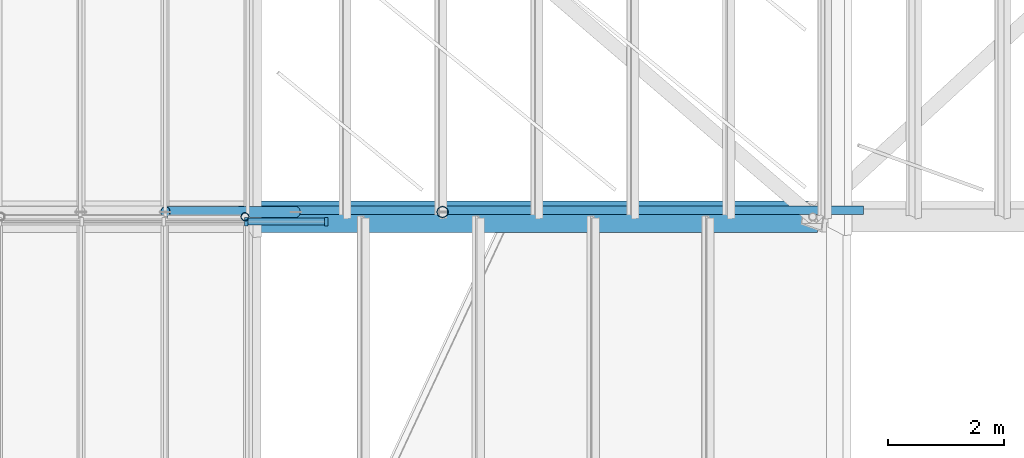
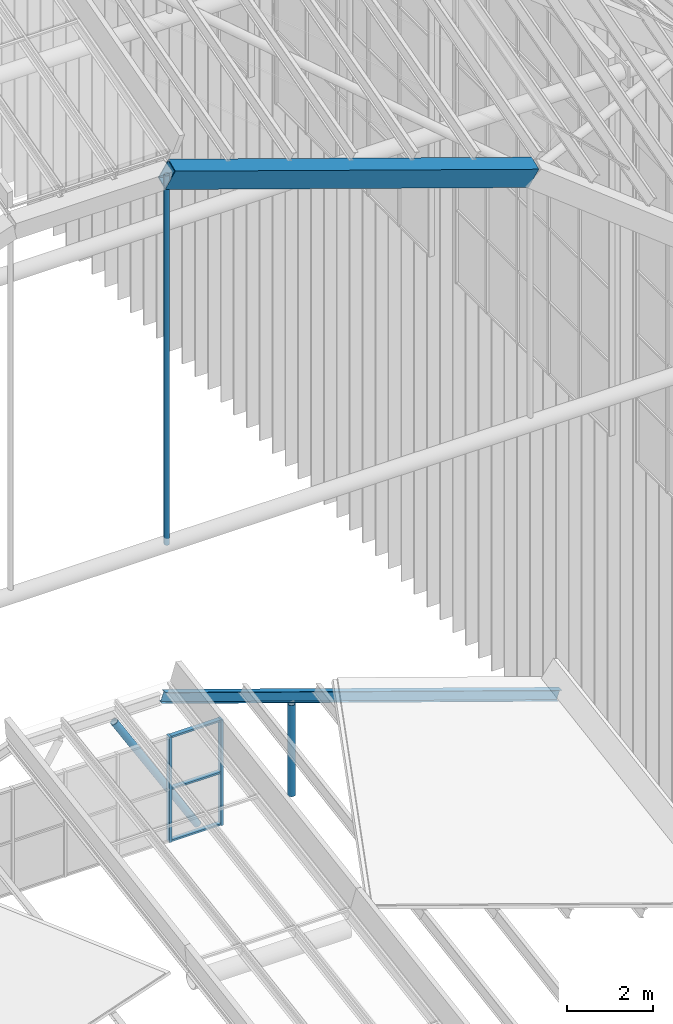
# One storey, part 31 of 126: 8 members, 2 beams, 1 element without a shape of its own.
"""IFC4 building model written with IfcOpenShell, lengths in metres."""

import ifcopenshell
import ifcopenshell.guid

model = None  # the IFC model being written
_history = None  # IfcOwnerHistory: only IFC2X3 demands one
_inside = {}  # id of a spatial element -> (the spatial element, [elements in it])
_under = {}  # id of a project, library or spatial element -> (it, [spatial elements below it])
_declared = {}  # id of a project -> (the project, [libraries it declares])
_typed = {}  # id of a type object -> (the type object, [elements of that type])
_made_of = {}  # id of a material, layer set ... -> (it, [elements and type objects made of it])


def new_model(schema):
    """Start an empty IFC model of exactly this schema.

    Asked for "IFC4X3", IfcOpenShell would pick the latest addendum, in which some entities
    have other attributes; the version numbers below select the first issue.
    IFC2X3 requires an IfcOwnerHistory on every rooted entity: one is made here for all.
    """
    global model, _history
    if schema == "IFC4X3":
        model = ifcopenshell.file(schema_version=(4, 3, 0, 0))
    else:
        model = ifcopenshell.file(schema=schema)
    _inside.clear()
    _under.clear()
    _declared.clear()
    _typed.clear()
    _made_of.clear()
    _history = None
    if model.schema == "IFC2X3":
        org = make("IfcOrganization", Name="unknown")
        user = make(
            "IfcPersonAndOrganization",
            ThePerson=make("IfcPerson", FamilyName="unknown"),
            TheOrganization=org,
        )
        app = make(
            "IfcApplication",
            ApplicationDeveloper=org,
            Version="unknown",
            ApplicationFullName="unknown",
            ApplicationIdentifier="unknown",
        )
        _history = make(
            "IfcOwnerHistory",
            OwningUser=user,
            OwningApplication=app,
            ChangeAction="ADDED",
            CreationDate=0,
        )
    return model


def make(cls, **values):
    """One entity of the class cls with the attributes given. An attribute that is None is left unset."""
    return model.create_entity(
        cls, **{name: value for name, value in values.items() if value is not None}
    )


def rooted(cls, **values):
    """An entity with a GlobalId (a new one), such as an element, a storey or a relation."""
    return make(cls, GlobalId=ifcopenshell.guid.new(), OwnerHistory=_history, **values)


def si_unit(unit_type, name, prefix=None):
    """IfcSIUnit, for example si_unit("LENGTHUNIT", "METRE", prefix="MILLI")."""
    return make("IfcSIUnit", UnitType=unit_type, Prefix=prefix, Name=name)


def assignment(units):
    """IfcUnitAssignment: the units of a project."""
    return None if units is None else make("IfcUnitAssignment", Units=units)


def point(xyz):
    """IfcCartesianPoint."""
    return None if xyz is None else make("IfcCartesianPoint", Coordinates=xyz)


def direction(xyz):
    """IfcDirection."""
    return None if xyz is None else make("IfcDirection", DirectionRatios=xyz)


def frame(location, z_axis=None, x_axis=None):
    """IfcAxis2Placement3D, a coordinate frame: its origin and axes. An axis left out is left unset."""
    return make(
        "IfcAxis2Placement3D",
        Location=point(location),
        Axis=direction(z_axis),
        RefDirection=direction(x_axis),
    )


def frame_2d(location, x_axis=None):
    """IfcAxis2Placement2D, a coordinate frame in the plane: its origin and x axis."""
    return make(
        "IfcAxis2Placement2D", Location=point(location), RefDirection=direction(x_axis)
    )


def origin():
    """The frame at (0, 0, 0) with its axes left unset."""
    return frame((0.0, 0.0, 0.0))


def origin_2d():
    """The frame at (0, 0) in the plane with its x axis left unset."""
    return frame_2d((0.0, 0.0))


def place(relative_to, where):
    """IfcLocalPlacement: puts the frame where relative to a parent placement (None: the world)."""
    return make(
        "IfcLocalPlacement", PlacementRelTo=relative_to, RelativePlacement=where
    )


def context(
    kind, dimensions, precision=None, world=None, true_north=None, identifier=None
):
    """IfcGeometricRepresentationContext, for example the 3D "Model" context."""
    return make(
        "IfcGeometricRepresentationContext",
        ContextIdentifier=identifier,
        ContextType=kind,
        CoordinateSpaceDimension=dimensions,
        Precision=precision,
        WorldCoordinateSystem=world,
        TrueNorth=true_north,
    )


def subcontext(parent, identifier, kind, view, scale=None):
    """IfcGeometricRepresentationSubContext, for example "Body" below "Model"."""
    return make(
        "IfcGeometricRepresentationSubContext",
        ContextIdentifier=identifier,
        ContextType=kind,
        ParentContext=parent,
        TargetScale=scale,
        TargetView=view,
    )


def project(units=None, contexts=None):
    """IfcProject with its units and contexts."""
    return rooted(
        "IfcProject",
        Name="project",
        RepresentationContexts=contexts,
        UnitsInContext=assignment(units),
    )


def spatial(cls, under=None, at=None, **own):
    """A site, building, storey or space (cls), placed at a placement, below another one or the project."""
    s = rooted(cls, ObjectPlacement=at, **own)
    if under is not None:
        _under.setdefault(under.id(), (under, []))[1].append(s)
    return s


def polyline(points):
    """IfcPolyline through the points."""
    return make("IfcPolyline", Points=[point(p) for p in points])


def profile(cls, at=None, kind="AREA", **sizes):
    """A parametric profile (cls). Its sizes go by their IFC names, for example OverallWidth=200.0."""
    return make(cls, ProfileType=kind, Position=at, **sizes)


def rectangle(**sizes):
    """IfcRectangleProfileDef."""
    return profile("IfcRectangleProfileDef", **sizes)


def hollow_circle(**sizes):
    """IfcCircleHollowProfileDef."""
    return profile("IfcCircleHollowProfileDef", **sizes)


def i_section(**sizes):
    """IfcIShapeProfileDef."""
    return profile("IfcIShapeProfileDef", **sizes)


def outline(outer, holes=None, kind="AREA"):
    """IfcArbitraryClosedProfileDef: a profile drawn as a closed curve; with holes, ...WithVoids."""
    if holes is None:
        return make("IfcArbitraryClosedProfileDef", ProfileType=kind, OuterCurve=outer)
    return make(
        "IfcArbitraryProfileDefWithVoids",
        ProfileType=kind,
        OuterCurve=outer,
        InnerCurves=holes,
    )


def extrude(swept, where, along, depth):
    """IfcExtrudedAreaSolid: the profile swept, set in the frame where, extruded along a direction by depth."""
    return make(
        "IfcExtrudedAreaSolid",
        SweptArea=swept,
        Position=where,
        ExtrudedDirection=direction(along),
        Depth=depth,
    )


def shape(context_of_items, identifier, shape_type, items):
    """IfcShapeRepresentation: the items that make up one representation, for example the "Body"."""
    return make(
        "IfcShapeRepresentation",
        ContextOfItems=context_of_items,
        RepresentationIdentifier=identifier,
        RepresentationType=shape_type,
        Items=items,
    )


def material(Name=None, Category=None):
    """IfcMaterial."""
    return make("IfcMaterial", Name=Name, Category=Category)


def material_profile(
    of_material, cross_section, Name=None, Category=None, Priority=None
):
    """IfcMaterialProfile: a cross section and its material."""
    return make(
        "IfcMaterialProfile",
        Name=Name,
        Material=of_material,
        Profile=cross_section,
        Priority=Priority,
        Category=Category,
    )


def profile_set(profiles, Name=None, composite=None):
    """IfcMaterialProfileSet."""
    return make(
        "IfcMaterialProfileSet",
        Name=Name,
        MaterialProfiles=profiles,
        CompositeProfile=composite,
    )


def made_of(thing, what):
    """Note that an element or type object is made of a material, layer set ...; save() writes the relation."""
    if what is not None:
        _made_of.setdefault(what.id(), (what, []))[1].append(thing)
    return thing


def type_object(cls, material=None, **own):
    """A type object (cls), such as IfcWallType, which elements share."""
    return made_of(rooted(cls, **own), material)


def element(
    cls,
    number,
    at=None,
    inside=None,
    cuts=None,
    type_object=None,
    material=None,
    context=None,
    identifier="Body",
    shape_type=None,
    held_by="IfcProductDefinitionShape",
    body=None,
    shapes=None,
    **own,
):
    """One element of the class cls, such as IfcWall. Its Tag is "e" and its number.

    at: its placement. inside: the storey or other place that contains it. cuts: it is an
    opening in that element (IfcRelVoidsElement). A single representation is given by context,
    identifier, shape_type and body (its items); several are given by shapes. held_by: the class
    of the entity that holds the representations. save() writes the other relations.
    """
    e = rooted(cls, Tag="e%d" % number, ObjectPlacement=at, **own)
    if body is not None:
        shapes = [shape(context, identifier, shape_type, body)]
    if shapes is not None:
        e.Representation = make(held_by, Representations=shapes)
    if inside is not None:
        _inside.setdefault(inside.id(), (inside, []))[1].append(e)
    if cuts is not None:
        rooted(
            "IfcRelVoidsElement", RelatingBuildingElement=cuts, RelatedOpeningElement=e
        )
    if type_object is not None:
        _typed.setdefault(type_object.id(), (type_object, []))[1].append(e)
    return made_of(e, material)


def aggregate(whole, parts):
    """IfcRelAggregates: a whole, such as a stair, and the parts it consists of."""
    return rooted("IfcRelAggregates", RelatingObject=whole, RelatedObjects=parts)


def save(model, path):
    """Write the relations noted so far, then the file.

    IfcRelAggregates (storeys below a building ...), IfcRelContainedInSpatialStructure (elements
    in a storey), IfcRelDefinesByType, IfcRelAssociatesMaterial and IfcRelDeclares: one each for
    every whole, place, type object, material and project.
    """
    for whole, parts in _under.values():
        aggregate(whole, parts)
    for where, things in _inside.values():
        rooted(
            "IfcRelContainedInSpatialStructure",
            RelatedElements=things,
            RelatingStructure=where,
        )
    for kind, things in _typed.values():
        rooted("IfcRelDefinesByType", RelatedObjects=things, RelatingType=kind)
    for what, things in _made_of.values():
        rooted("IfcRelAssociatesMaterial", RelatedObjects=things, RelatingMaterial=what)
    for by, libraries in _declared.values():
        rooted("IfcRelDeclares", RelatingContext=by, RelatedDefinitions=libraries)
    model.write(path)


model = new_model("IFC4")

# Units and contexts
model_context = context("Model", 3, precision=1e-05, world=origin(), true_north=direction((0.0, 1.0)))
body_context = subcontext(model_context, "Body", "Model", "MODEL_VIEW")
ifc_project = project(units=[si_unit("LENGTHUNIT", "METRE"), si_unit("AREAUNIT", "SQUARE_METRE"), si_unit("VOLUMEUNIT", "CUBIC_METRE"), si_unit("PLANEANGLEUNIT", "RADIAN"), si_unit("MASSUNIT", "GRAM", prefix="KILO")], contexts=[model_context])

# Site, building, storey
site_placement = place(None, origin())
site = spatial("IfcSite", under=ifc_project, at=site_placement, CompositionType="ELEMENT")
building_placement = place(site_placement, origin())
building = spatial("IfcBuilding", under=site, at=building_placement, Name="Sava Quay Ferry Terminal", CompositionType="ELEMENT")
storey_placement = place(building_placement, frame((0.0, 0.0, 15.0)))
storey = spatial("IfcBuildingStorey", under=building, at=storey_placement, Name="L03", CompositionType="ELEMENT", Elevation=15.0)

# Beams
ifc_material_1 = material(Name="Steel S355", Category="steel")
ifc_material_profile_1 = material_profile(ifc_material_1, outline(polyline([(-0.199951171875, -0.300048828125), (0.199951171875, -0.300048828125), (0.199951171875, 0.300048828125), (-0.199951171875, 0.300048828125), (-0.199951171875, -0.300048828125)]), holes=[polyline([(-0.175048828125, -0.27490234375), (-0.175048828125, 0.27490234375), (0.175048828125, 0.27490234375), (0.175048828125, -0.27490234375), (-0.175048828125, -0.27490234375)])]), Name="Box 600x400x25 built-up")
ifc_profile_set_1 = profile_set([ifc_material_profile_1], Name="Steel S355")
beam_type_1 = type_object("IfcBeamType", Name="D folded rib Box 600x400x25", PredefinedType="BEAM", material=ifc_profile_set_1)
beam_1_placement = place(storey_placement, frame((65.10009765625, 50.39990234375, 18.897216796875), z_axis=(0.945520775213, 0.0, -0.325561766247), x_axis=(0.0834858884, 0.966561105696, 0.242465946875)))
element("IfcBeam", 1, at=beam_1_placement, inside=storey, type_object=beam_type_1, Name="Departure hall folded rib R0 seg 4", PredefinedType="BEAM", context=body_context, shape_type="SweptSolid", body=[
    extrude(outline(polyline([(-0.199951171875, -0.300048828125), (0.199951171875, -0.300048828125), (0.199951171875, 0.300048828125), (-0.199951171875, 0.300048828125), (-0.199951171875, -0.300048828125)]), holes=[polyline([(-0.175048828125, -0.27490234375), (-0.175048828125, 0.27490234375), (0.175048828125, 0.27490234375), (0.175048828125, -0.27490234375), (-0.175048828125, -0.27490234375)])]), origin(), (0.0, 0.0, 1.0), 10.3330078125),
])
ifc_material_2 = material(Name="Steel S355", Category="steel")
ifc_material_profile_2 = material_profile(ifc_material_2, i_section(OverallWidth=0.14990234375, OverallDepth=0.300048828125, WebThickness=0.007080078125, FlangeThickness=0.0107421875, at=origin_2d()), Name="IPE 300")
ifc_profile_set_2 = profile_set([ifc_material_profile_2], Name="Steel S355")
beam_type_2 = type_object("IfcBeamType", Name="Gable abutment beam IPE 300", PredefinedType="BEAM", material=ifc_profile_set_2)
beam_2_placement = place(storey_placement, frame((75.693359375, 50.512451171875, 0.34326171875), z_axis=(-0.945519107435, 0.0, 0.325566609891), x_axis=(0.0, -1.0, 0.0)))
element("IfcBeam", 2, at=beam_2_placement, inside=storey, type_object=beam_type_2, Name="Arrivals hall gable abutment beam east", PredefinedType="BEAM", context=body_context, shape_type="SweptSolid", body=[
    extrude(i_section(OverallWidth=0.14990234375, OverallDepth=0.300048828125, WebThickness=0.007080078125, FlangeThickness=0.0107421875, at=origin_2d()), origin(), (0.0, 0.0, 1.0), 11.26708984375),
])

# Members
ifc_material_3 = material(Name="Steel S355", Category="steel")
ifc_material_profile_3 = material_profile(ifc_material_3, hollow_circle(Radius=0.096923828125, WallThickness=0.008056640625, at=origin_2d()), Name="CHS 193.7 x 8.0")
ifc_profile_set_3 = profile_set([ifc_material_profile_3], Name="Steel S355")
member_type_1 = type_object("IfcMemberType", Name="Gable truss strut CHS 193.7x8", PredefinedType="USERDEFINED", material=ifc_profile_set_3)
member_1_placement = place(storey_placement, frame((65.969482421875, 50.482421875, 0.084716796875), z_axis=(-0.518355579088, 0.0, 0.855165184996), x_axis=(0.0, -1.0, 0.0)))
element("IfcMember", 3, at=member_1_placement, inside=storey, type_object=member_type_1, Name="Arrivals hall gable truss strut", ObjectType="TRUSS STRUT", PredefinedType="USERDEFINED", context=body_context, shape_type="SweptSolid", body=[
    extrude(hollow_circle(Radius=0.096923828125, WallThickness=0.008056640625, at=origin_2d()), origin(), (0.0, 0.0, 1.0), 4.3193359375),
])
member_2_placement = place(storey_placement, frame((68.5, 50.482421875, 0.034423828125), z_axis=(0.0, 0.0, 1.0), x_axis=(1.0, 0.0, 0.0)))
element("IfcMember", 4, at=member_2_placement, inside=storey, type_object=member_type_1, Name="Arrivals hall gable truss post", ObjectType="TRUSS STRUT", PredefinedType="USERDEFINED", context=body_context, shape_type="SweptSolid", body=[
    extrude(hollow_circle(Radius=0.096923828125, WallThickness=0.008056640625, at=origin_2d()), origin(), (0.0, 0.0, 1.0), 2.59375),
])

# Curtain wall, members
ifc_material_4 = material(Name="Aluminium and glass curtain wall, double low-e glazed", Category="aluminium")
curtain_wall_type = type_object("IfcCurtainWallType", Name="Curtain wall CW-G gable", PredefinedType="NOTDEFINED", material=ifc_material_4)
curtain_wall_placement = place(storey_placement, origin())
curtain_wall = element("IfcCurtainWall", 5, at=curtain_wall_placement, inside=storey, type_object=curtain_wall_type, Name="Curtain wall D-S L03 bay 31", PredefinedType="NOTDEFINED")
ifc_material_5 = material(Name="Aluminium EN AW-6063 T6", Category="aluminium")
ifc_material_profile_4 = material_profile(ifc_material_5, rectangle(XDim=0.14990234375, YDim=0.06005859375, at=origin_2d()), Name="Mullion 60x150 aluminium")
ifc_profile_set_4 = profile_set([ifc_material_profile_4], Name="Aluminium EN AW-6063 T6")
member_type_2 = type_object("IfcMemberType", Name="Mullion 60x150 aluminium", PredefinedType="MULLION", material=ifc_profile_set_4)
member_3_placement = place(storey_placement, frame((65.117919921875, 50.31494140625, 0.0), z_axis=(0.0, 0.0, 1.0), x_axis=(0.0, 1.0, 0.0)))
member_3 = element("IfcMember", 6, at=member_3_placement, type_object=member_type_2, Name="CW92 mullion 5", PredefinedType="MULLION", context=body_context, shape_type="SweptSolid", body=[
    extrude(rectangle(XDim=0.14990234375, YDim=0.06005859375, at=origin_2d()), origin(), (0.0, 0.0, 1.0), 3.0),
])
member_4_placement = place(storey_placement, frame((66.5, 50.31494140625, 0.0), z_axis=(0.0, 0.0, 1.0), x_axis=(0.0, 1.0, 0.0)))
member_4 = element("IfcMember", 7, at=member_4_placement, type_object=member_type_2, Name="CW92 mullion 6", PredefinedType="MULLION", context=body_context, shape_type="SweptSolid", body=[
    extrude(rectangle(XDim=0.14990234375, YDim=0.06005859375, at=origin_2d()), origin(), (0.0, 0.0, 1.0), 3.0),
])

# Member
ifc_material_6 = material(Name="Steel S355", Category="steel")
ifc_material_profile_5 = material_profile(ifc_material_6, hollow_circle(Radius=0.06982421875, WallThickness=0.008056640625, at=origin_2d()), Name="CHS 139.7 x 8.0")
ifc_profile_set_5 = profile_set([ifc_material_profile_5], Name="Steel S355")
member_type_3 = type_object("IfcMemberType", Name="Tie hanger CHS 139.7x8", PredefinedType="USERDEFINED", material=ifc_profile_set_5)
member_5_placement = place(storey_placement, frame((65.10009765625, 50.39990234375, 8.39990234375), z_axis=(0.0, 0.0, 1.0), x_axis=(1.0, 0.0, 0.0)))
element("IfcMember", 8, at=member_5_placement, inside=storey, type_object=member_type_3, Name="Departure hall tie hanger R0 V3", ObjectType="TIE HANGER", PredefinedType="USERDEFINED", context=body_context, shape_type="SweptSolid", body=[
    extrude(hollow_circle(Radius=0.06982421875, WallThickness=0.008056640625, at=origin_2d()), origin(), (0.0, 0.0, 1.0), 10.497314453125),
])

ifc_material_7 = material(Name="Aluminium EN AW-6063 T6", Category="aluminium")
ifc_material_profile_6 = material_profile(ifc_material_7, rectangle(XDim=0.1201171875, YDim=0.050048828125, at=origin_2d()), Name="Transom 50x120 aluminium")
ifc_profile_set_6 = profile_set([ifc_material_profile_6], Name="Aluminium EN AW-6063 T6")
member_type_4 = type_object("IfcMemberType", Name="Transom 50x120 aluminium", PredefinedType="USERDEFINED", material=ifc_profile_set_6)
member_6_placement = place(storey_placement, frame((65.14794921875, 50.31494140625, 0.02490234375), z_axis=(1.0, 0.0, 0.0), x_axis=(0.0, 1.0, 0.0)))
member_6 = element("IfcMember", 9, at=member_6_placement, type_object=member_type_4, Name="CW92 transom 5.1", ObjectType="TRANSOM", PredefinedType="USERDEFINED", context=body_context, shape_type="SweptSolid", body=[
    extrude(rectangle(XDim=0.1201171875, YDim=0.050048828125, at=origin_2d()), origin(), (0.0, 0.0, 1.0), 1.322021484375),
])

member_7_placement = place(storey_placement, frame((65.14794921875, 50.31494140625, 1.5), z_axis=(1.0, 0.0, 0.0), x_axis=(0.0, 1.0, 0.0)))
member_7 = element("IfcMember", 10, at=member_7_placement, type_object=member_type_4, Name="CW92 transom 5.2", ObjectType="TRANSOM", PredefinedType="USERDEFINED", context=body_context, shape_type="SweptSolid", body=[
    extrude(rectangle(XDim=0.1201171875, YDim=0.050048828125, at=origin_2d()), origin(), (0.0, 0.0, 1.0), 1.322021484375),
])

member_8_placement = place(storey_placement, frame((65.14794921875, 50.31494140625, 2.97509765625), z_axis=(1.0, 0.0, 0.0), x_axis=(0.0, 1.0, 0.0)))
member_8 = element("IfcMember", 11, at=member_8_placement, type_object=member_type_4, Name="CW92 transom 5.3", ObjectType="TRANSOM", PredefinedType="USERDEFINED", context=body_context, shape_type="SweptSolid", body=[
    extrude(rectangle(XDim=0.1201171875, YDim=0.050048828125, at=origin_2d()), origin(), (0.0, 0.0, 1.0), 1.322021484375),
])

aggregate(curtain_wall, [member_3, member_4, member_6, member_7, member_8])

save(model, "model.ifc")
